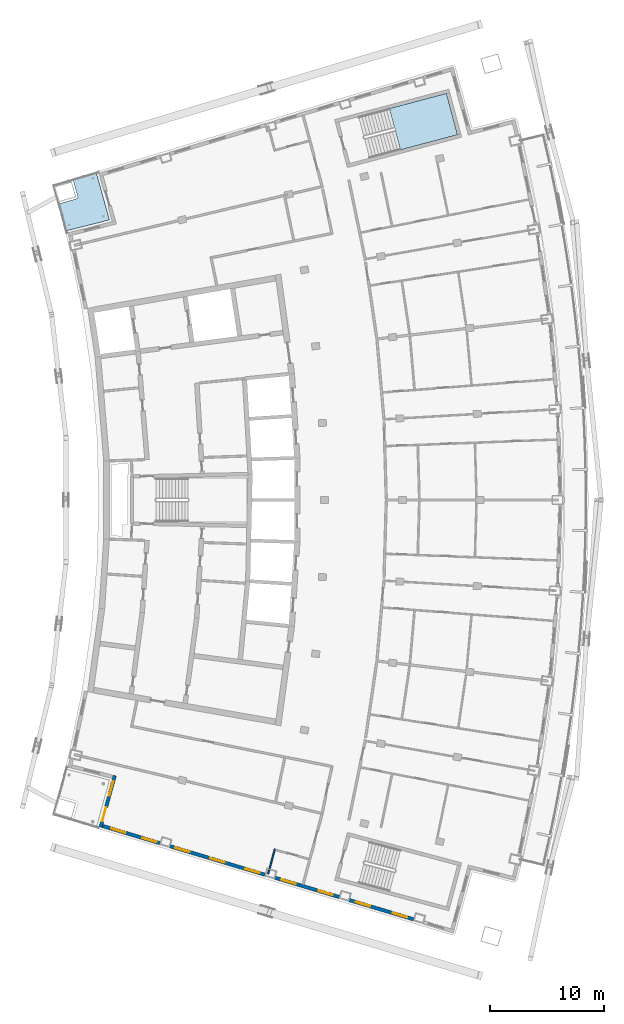
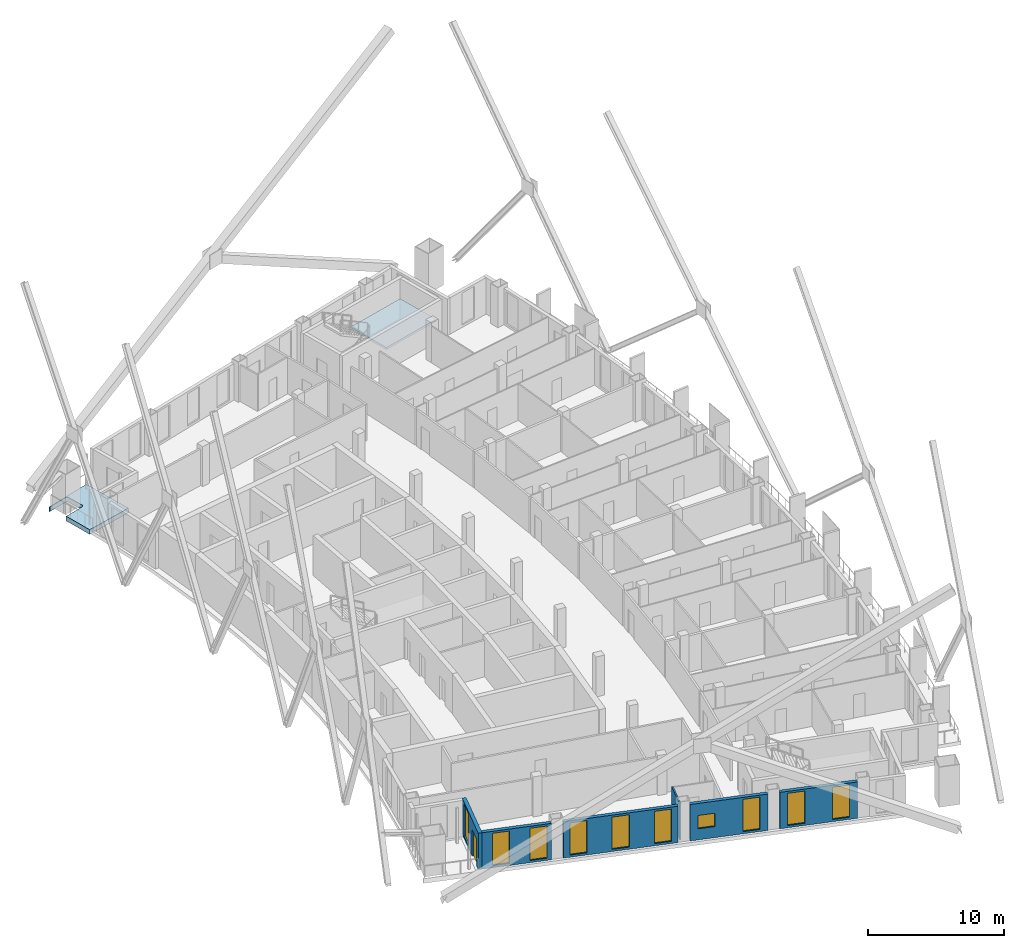
# One storey, part 7 of 21: 10 windows, 6 walls, 2 slabs, 1 door, 11 openings, 1 element without a shape of its own.
"""IFC4 building model written with IfcOpenShell, lengths in metres."""

import ifcopenshell
import ifcopenshell.guid

model = None  # the IFC model being written
_history = None  # IfcOwnerHistory: only IFC2X3 demands one
_inside = {}  # id of a spatial element -> (the spatial element, [elements in it])
_under = {}  # id of a project, library or spatial element -> (it, [spatial elements below it])
_declared = {}  # id of a project -> (the project, [libraries it declares])
_typed = {}  # id of a type object -> (the type object, [elements of that type])
_made_of = {}  # id of a material, layer set ... -> (it, [elements and type objects made of it])


def new_model(schema):
    """Start an empty IFC model of exactly this schema.

    Asked for "IFC4X3", IfcOpenShell would pick the latest addendum, in which some entities
    have other attributes; the version numbers below select the first issue.
    IFC2X3 requires an IfcOwnerHistory on every rooted entity: one is made here for all.
    """
    global model, _history
    if schema == "IFC4X3":
        model = ifcopenshell.file(schema_version=(4, 3, 0, 0))
    else:
        model = ifcopenshell.file(schema=schema)
    _inside.clear()
    _under.clear()
    _declared.clear()
    _typed.clear()
    _made_of.clear()
    _history = None
    if model.schema == "IFC2X3":
        org = make("IfcOrganization", Name="unknown")
        user = make(
            "IfcPersonAndOrganization",
            ThePerson=make("IfcPerson", FamilyName="unknown"),
            TheOrganization=org,
        )
        app = make(
            "IfcApplication",
            ApplicationDeveloper=org,
            Version="unknown",
            ApplicationFullName="unknown",
            ApplicationIdentifier="unknown",
        )
        _history = make(
            "IfcOwnerHistory",
            OwningUser=user,
            OwningApplication=app,
            ChangeAction="ADDED",
            CreationDate=0,
        )
    return model


def make(cls, **values):
    """One entity of the class cls with the attributes given. An attribute that is None is left unset."""
    return model.create_entity(
        cls, **{name: value for name, value in values.items() if value is not None}
    )


def rooted(cls, **values):
    """An entity with a GlobalId (a new one), such as an element, a storey or a relation."""
    return make(cls, GlobalId=ifcopenshell.guid.new(), OwnerHistory=_history, **values)


def si_unit(unit_type, name, prefix=None):
    """IfcSIUnit, for example si_unit("LENGTHUNIT", "METRE", prefix="MILLI")."""
    return make("IfcSIUnit", UnitType=unit_type, Prefix=prefix, Name=name)


def assignment(units):
    """IfcUnitAssignment: the units of a project."""
    return None if units is None else make("IfcUnitAssignment", Units=units)


def point(xyz):
    """IfcCartesianPoint."""
    return None if xyz is None else make("IfcCartesianPoint", Coordinates=xyz)


def direction(xyz):
    """IfcDirection."""
    return None if xyz is None else make("IfcDirection", DirectionRatios=xyz)


def frame(location, z_axis=None, x_axis=None):
    """IfcAxis2Placement3D, a coordinate frame: its origin and axes. An axis left out is left unset."""
    return make(
        "IfcAxis2Placement3D",
        Location=point(location),
        Axis=direction(z_axis),
        RefDirection=direction(x_axis),
    )


def frame_2d(location, x_axis=None):
    """IfcAxis2Placement2D, a coordinate frame in the plane: its origin and x axis."""
    return make(
        "IfcAxis2Placement2D", Location=point(location), RefDirection=direction(x_axis)
    )


def origin():
    """The frame at (0, 0, 0) with its axes left unset."""
    return frame((0.0, 0.0, 0.0))


def place(relative_to, where):
    """IfcLocalPlacement: puts the frame where relative to a parent placement (None: the world)."""
    return make(
        "IfcLocalPlacement", PlacementRelTo=relative_to, RelativePlacement=where
    )


def context(
    kind, dimensions, precision=None, world=None, true_north=None, identifier=None
):
    """IfcGeometricRepresentationContext, for example the 3D "Model" context."""
    return make(
        "IfcGeometricRepresentationContext",
        ContextIdentifier=identifier,
        ContextType=kind,
        CoordinateSpaceDimension=dimensions,
        Precision=precision,
        WorldCoordinateSystem=world,
        TrueNorth=true_north,
    )


def subcontext(parent, identifier, kind, view, scale=None):
    """IfcGeometricRepresentationSubContext, for example "Body" below "Model"."""
    return make(
        "IfcGeometricRepresentationSubContext",
        ContextIdentifier=identifier,
        ContextType=kind,
        ParentContext=parent,
        TargetScale=scale,
        TargetView=view,
    )


def project(units=None, contexts=None):
    """IfcProject with its units and contexts."""
    return rooted(
        "IfcProject",
        Name="project",
        RepresentationContexts=contexts,
        UnitsInContext=assignment(units),
    )


def spatial(cls, under=None, at=None, **own):
    """A site, building, storey or space (cls), placed at a placement, below another one or the project."""
    s = rooted(cls, ObjectPlacement=at, **own)
    if under is not None:
        _under.setdefault(under.id(), (under, []))[1].append(s)
    return s


def polyline(points):
    """IfcPolyline through the points."""
    return make("IfcPolyline", Points=[point(p) for p in points])


def profile(cls, at=None, kind="AREA", **sizes):
    """A parametric profile (cls). Its sizes go by their IFC names, for example OverallWidth=200.0."""
    return make(cls, ProfileType=kind, Position=at, **sizes)


def rectangle(**sizes):
    """IfcRectangleProfileDef."""
    return profile("IfcRectangleProfileDef", **sizes)


def outline(outer, holes=None, kind="AREA"):
    """IfcArbitraryClosedProfileDef: a profile drawn as a closed curve; with holes, ...WithVoids."""
    if holes is None:
        return make("IfcArbitraryClosedProfileDef", ProfileType=kind, OuterCurve=outer)
    return make(
        "IfcArbitraryProfileDefWithVoids",
        ProfileType=kind,
        OuterCurve=outer,
        InnerCurves=holes,
    )


def extrude(swept, where, along, depth):
    """IfcExtrudedAreaSolid: the profile swept, set in the frame where, extruded along a direction by depth."""
    return make(
        "IfcExtrudedAreaSolid",
        SweptArea=swept,
        Position=where,
        ExtrudedDirection=direction(along),
        Depth=depth,
    )


def shape(context_of_items, identifier, shape_type, items):
    """IfcShapeRepresentation: the items that make up one representation, for example the "Body"."""
    return make(
        "IfcShapeRepresentation",
        ContextOfItems=context_of_items,
        RepresentationIdentifier=identifier,
        RepresentationType=shape_type,
        Items=items,
    )


def material(Name=None, Category=None):
    """IfcMaterial."""
    return make("IfcMaterial", Name=Name, Category=Category)


def layer(
    of_material, thickness, ventilated=None, Name=None, Category=None, Priority=None
):
    """IfcMaterialLayer: one layer of a wall or slab, of a material (None: an air gap)."""
    return make(
        "IfcMaterialLayer",
        Material=of_material,
        LayerThickness=thickness,
        IsVentilated=ventilated,
        Name=Name,
        Category=Category,
        Priority=Priority,
    )


def layer_set(layers, Name=None):
    """IfcMaterialLayerSet."""
    return make("IfcMaterialLayerSet", MaterialLayers=layers, LayerSetName=Name)


def made_of(thing, what):
    """Note that an element or type object is made of a material, layer set ...; save() writes the relation."""
    if what is not None:
        _made_of.setdefault(what.id(), (what, []))[1].append(thing)
    return thing


def type_object(cls, material=None, **own):
    """A type object (cls), such as IfcWallType, which elements share."""
    return made_of(rooted(cls, **own), material)


def element(
    cls,
    number,
    at=None,
    inside=None,
    cuts=None,
    type_object=None,
    material=None,
    context=None,
    identifier="Body",
    shape_type=None,
    held_by="IfcProductDefinitionShape",
    body=None,
    shapes=None,
    **own,
):
    """One element of the class cls, such as IfcWall. Its Tag is "e" and its number.

    at: its placement. inside: the storey or other place that contains it. cuts: it is an
    opening in that element (IfcRelVoidsElement). A single representation is given by context,
    identifier, shape_type and body (its items); several are given by shapes. held_by: the class
    of the entity that holds the representations. save() writes the other relations.
    """
    e = rooted(cls, Tag="e%d" % number, ObjectPlacement=at, **own)
    if body is not None:
        shapes = [shape(context, identifier, shape_type, body)]
    if shapes is not None:
        e.Representation = make(held_by, Representations=shapes)
    if inside is not None:
        _inside.setdefault(inside.id(), (inside, []))[1].append(e)
    if cuts is not None:
        rooted(
            "IfcRelVoidsElement", RelatingBuildingElement=cuts, RelatedOpeningElement=e
        )
    if type_object is not None:
        _typed.setdefault(type_object.id(), (type_object, []))[1].append(e)
    return made_of(e, material)


def fill(opening, filler):
    """IfcRelFillsElement: the door or window that sits in an opening."""
    return rooted(
        "IfcRelFillsElement",
        RelatingOpeningElement=opening,
        RelatedBuildingElement=filler,
    )


def aggregate(whole, parts):
    """IfcRelAggregates: a whole, such as a stair, and the parts it consists of."""
    return rooted("IfcRelAggregates", RelatingObject=whole, RelatedObjects=parts)


def save(model, path):
    """Write the relations noted so far, then the file.

    IfcRelAggregates (storeys below a building ...), IfcRelContainedInSpatialStructure (elements
    in a storey), IfcRelDefinesByType, IfcRelAssociatesMaterial and IfcRelDeclares: one each for
    every whole, place, type object, material and project.
    """
    for whole, parts in _under.values():
        aggregate(whole, parts)
    for where, things in _inside.values():
        rooted(
            "IfcRelContainedInSpatialStructure",
            RelatedElements=things,
            RelatingStructure=where,
        )
    for kind, things in _typed.values():
        rooted("IfcRelDefinesByType", RelatedObjects=things, RelatingType=kind)
    for what, things in _made_of.values():
        rooted("IfcRelAssociatesMaterial", RelatedObjects=things, RelatingMaterial=what)
    for by, libraries in _declared.values():
        rooted("IfcRelDeclares", RelatingContext=by, RelatedDefinitions=libraries)
    model.write(path)


model = new_model("IFC4")

# Units and contexts
model_context = context("Model", 3, precision=1e-05, world=origin(), true_north=direction((0.0, 1.0)))
body_context = subcontext(model_context, "Body", "Model", "MODEL_VIEW")
ifc_project = project(units=[si_unit("LENGTHUNIT", "METRE"), si_unit("AREAUNIT", "SQUARE_METRE"), si_unit("VOLUMEUNIT", "CUBIC_METRE"), si_unit("PLANEANGLEUNIT", "RADIAN"), si_unit("MASSUNIT", "GRAM", prefix="KILO")], contexts=[model_context])

# Site, building, storey
site_placement = place(None, origin())
site = spatial("IfcSite", under=ifc_project, at=site_placement, CompositionType="ELEMENT")
building_placement = place(site_placement, origin())
building = spatial("IfcBuilding", under=site, at=building_placement, Name="Alderwake Tower", CompositionType="ELEMENT")
storey_placement = place(building_placement, frame((0.0, 0.0, 267.199951171875)))
storey = spatial("IfcBuildingStorey", under=building, at=storey_placement, Name="L66", CompositionType="ELEMENT", Elevation=267.199951171875)

# Stair, slab
ifc_material_1 = material(Name="Concrete C40/50", Category="concrete")
stair_type = type_object("IfcStairType", Name="Core exit stair", PredefinedType="HALF_TURN_STAIR", material=ifc_material_1)
stair_placement = place(storey_placement, origin())
stair = element("IfcStair", 1, at=stair_placement, inside=storey, type_object=stair_type, Name="L66 Exit Stair A", PredefinedType="HALF_TURN_STAIR")
ifc_material_2 = material(Name="Concrete C40/50", Category="concrete")
ifc_layer_1 = layer(ifc_material_2, 0.199951171875)
ifc_layer_set_1 = layer_set([ifc_layer_1], Name="Core stair landing 200")
slab_type_1 = type_object("IfcSlabType", Name="Core stair landing 200", PredefinedType="LANDING", material=ifc_layer_set_1)
slab_1_placement = place(storey_placement, frame((0.0, 0.0, 1.60009765625)))
slab_1 = element("IfcSlab", 2, at=slab_1_placement, type_object=slab_type_1, Name="ST-A landing 1", PredefinedType="LANDING", context=body_context, shape_type="SweptSolid", body=[
    extrude(outline(polyline([(42.440673828125, 91.67236328125), (47.436279296875, 93.003173828125), (46.47119140625, 96.626708984375), (41.475341796875, 95.296142578125), (42.440673828125, 91.67236328125)])), origin(), (0.0, 0.0, 1.0), 0.199951171875),
])
aggregate(stair, [slab_1])

# Slab
ifc_material_3 = material(Name="Concrete C50/60", Category="concrete")
ifc_layer_2 = layer(ifc_material_3, 0.419921875)
ifc_layer_set_2 = layer_set([ifc_layer_2], Name="Terrace slab 420")
slab_type_2 = type_object("IfcSlabType", Name="Terrace slab 420", PredefinedType="FLOOR", material=ifc_layer_set_2)
slab_2_placement = place(storey_placement, frame((0.0, 0.0, -0.419921875)))
element("IfcSlab", 3, at=slab_2_placement, inside=storey, type_object=slab_type_2, Name="Corner terrace RN", PredefinedType="FLOOR", context=body_context, shape_type="SweptSolid", body=[
    extrude(outline(polyline([(12.418701171875, 86.970458984375), (12.4306640625, 86.964599609375), (12.444580078125, 86.95947265625), (12.458740234375, 86.955810546875), (12.473388671875, 86.953369140625), (12.488037109375, 86.952392578125), (12.502685546875, 86.952880859375), (12.517333984375, 86.955078125), (12.531494140625, 86.95849609375), (14.068115234375, 87.404052734375), (14.082275390625, 87.408935546875), (14.095458984375, 87.4150390625), (14.1083984375, 87.422607421875), (14.1201171875, 87.43115234375), (14.131103515625, 87.44091796875), (14.14111328125, 87.45166015625), (14.150146484375, 87.46337890625), (14.157958984375, 87.475830078125), (14.164306640625, 87.489013671875), (14.16943359375, 87.5029296875), (14.173095703125, 87.51708984375), (14.175537109375, 87.53173828125), (14.176513671875, 87.54638671875), (14.17578125, 87.56103515625), (14.173828125, 87.57568359375), (14.17041015625, 87.590087890625), (13.780517578125, 88.9345703125), (13.775634765625, 88.948486328125), (13.76953125, 88.9619140625), (13.76220703125, 88.974609375), (13.75341796875, 88.986572265625), (13.74365234375, 88.99755859375), (13.73291015625, 89.007568359375), (13.72119140625, 89.0166015625), (13.708740234375, 89.024169921875), (13.695556640625, 89.030517578125), (13.681640625, 89.035888671875), (13.66748046875, 89.03955078125), (13.65283203125, 89.0419921875), (13.63818359375, 89.042724609375), (13.62353515625, 89.042236328125), (13.60888671875, 89.040283203125), (13.594482421875, 89.036865234375), (12.05810546875, 88.591064453125), (12.0439453125, 88.586181640625), (12.03076171875, 88.580078125), (12.017822265625, 88.57275390625), (12.006103515625, 88.564208984375), (11.9951171875, 88.55419921875), (11.985107421875, 88.543701171875), (11.97607421875, 88.53173828125), (11.9697265625, 88.521728515625), (11.945556640625, 88.604736328125), (15.776611328125, 89.7548828125), (16.942626953125, 85.53857421875), (13.06494140625, 84.556884765625), (12.71142578125, 85.91162109375), (12.418701171875, 86.970458984375)])), origin(), (0.0, 0.0, 1.0), 0.419921875),
])

# Wall, openings, door, window
ifc_material_4 = material(Name="Bronze metal cladding on lightweight framing")
ifc_layer_3 = layer(ifc_material_4, 0.300048828125)
ifc_layer_set_3 = layer_set([ifc_layer_3], Name="External wall EW2 bronze metal cladding")
wall_type_1 = type_object("IfcWallType", Name="External wall EW2 bronze metal cladding", PredefinedType="SOLIDWALL", material=ifc_layer_set_3)
wall_1_placement = place(storey_placement, frame((17.410400390625, 36.85888671875, 0.0), z_axis=(0.0, 0.0, 1.0), x_axis=(-0.264592640785, -0.96436027212, 0.0)))
wall_1 = element("IfcWall", 4, at=wall_1_placement, inside=storey, type_object=wall_type_1, Name="External wall 3", PredefinedType="SOLIDWALL", context=body_context, shape_type="SweptSolid", body=[
    extrude(rectangle(XDim=4.690185546875, YDim=0.300048828125, at=frame_2d((2.34521484375, 0.0))), origin(), (0.0, 0.0, 1.0), 3.280029296875),
])
opening_1_placement = place(wall_1_placement, frame((0.5224609375, 0.0, 0.199951171875)))
opening_1 = element("IfcOpeningElement", 5, at=opening_1_placement, cuts=wall_1, Name="Opening W1", PredefinedType="OPENING", context=body_context, shape_type="SweptSolid", body=[
    extrude(rectangle(XDim=1.300048828125, YDim=2.89990234375, at=frame_2d((0.64990234375, 1.449951171875))), frame((0.0, 0.159912109375, 0.0), z_axis=(0.0, -1.0, 0.0), x_axis=(1.0, 0.0, 0.0)), (0.0, 0.0, 1.0), 0.320068359375),
])
opening_2_placement = place(wall_1_placement, frame((2.867431640625, 0.0, 0.0)))
opening_2 = element("IfcOpeningElement", 6, at=opening_2_placement, cuts=wall_1, Name="Opening D01", PredefinedType="OPENING", context=body_context, shape_type="SweptSolid", body=[
    extrude(rectangle(XDim=1.300048828125, YDim=2.39990234375, at=frame_2d((0.64990234375, 1.199951171875))), frame((0.0, 0.159912109375, 0.0), z_axis=(0.0, -1.0, 0.0), x_axis=(1.0, 0.0, 0.0)), (0.0, 0.0, 1.0), 0.320068359375),
])
ifc_material_5 = material(Name="Bronze tinted glass in aluminium frame", Category="aluminium")
door_type = type_object("IfcDoorType", Name="Balcony door BD sliding", OperationType="SLIDING_TO_LEFT", PredefinedType="DOOR", material=ifc_material_5)
door_placement = place(opening_2_placement, origin())
door = element("IfcDoor", 7, at=door_placement, inside=storey, type_object=door_type, Name="Door D01", OperationType="SLIDING_TO_LEFT", OverallHeight=2.39990234375, OverallWidth=1.300048828125, PredefinedType="DOOR", context=body_context, shape_type="SweptSolid", body=[
    extrude(rectangle(XDim=1.300048828125, YDim=2.39990234375, at=frame_2d((0.64990234375, 1.199951171875))), frame((0.0, 0.02490234375, 0.0), z_axis=(0.0, -1.0, 0.0), x_axis=(1.0, 0.0, 0.0)), (0.0, 0.0, 1.0), 0.050048828125),
])
fill(opening_2, door)
ifc_material_6 = material(Name="Bronze tinted glass in aluminium frame", Category="aluminium")
window_type_1 = type_object("IfcWindowType", Name="Window W1 tall fixed and vent", PartitioningType="DOUBLE_PANEL_VERTICAL", PredefinedType="WINDOW", material=ifc_material_6)
window_1_placement = place(opening_1_placement, origin())
window_1 = element("IfcWindow", 8, at=window_1_placement, inside=storey, type_object=window_type_1, Name="Window W1 tall fixed and vent", OverallHeight=2.89990234375, OverallWidth=1.300048828125, PartitioningType="DOUBLE_PANEL_VERTICAL", PredefinedType="WINDOW", context=body_context, shape_type="SweptSolid", body=[
    extrude(rectangle(XDim=1.300048828125, YDim=2.89990234375, at=frame_2d((0.64990234375, 1.449951171875))), frame((0.0, 0.030029296875, 0.0), z_axis=(0.0, -1.0, 0.0), x_axis=(1.0, 0.0, 0.0)), (0.0, 0.0, 1.0), 0.06005859375),
])
fill(opening_1, window_1)

# Wall, openings, windows
wall_2_placement = place(storey_placement, frame((16.352783203125, 32.4375, 0.0), z_axis=(0.0, 0.0, 1.0), x_axis=(0.957768668152, -0.287539872551, 0.0)))
wall_2 = element("IfcWall", 9, at=wall_2_placement, inside=storey, type_object=wall_type_1, Name="External wall 4", PredefinedType="SOLIDWALL", context=body_context, shape_type="SweptSolid", body=[
    extrude(rectangle(XDim=5.249755859375, YDim=0.300048828125, at=frame_2d((2.625, 0.0))), origin(), (0.0, 0.0, 1.0), 3.280029296875),
])
opening_3_placement = place(wall_2_placement, frame((0.775390625, 0.0, 0.199951171875)))
opening_3 = element("IfcOpeningElement", 10, at=opening_3_placement, cuts=wall_2, Name="Opening W1", PredefinedType="OPENING", context=body_context, shape_type="SweptSolid", body=[
    extrude(rectangle(XDim=1.300048828125, YDim=2.89990234375, at=frame_2d((0.64990234375, 1.449951171875))), frame((0.0, 0.159912109375, 0.0), z_axis=(0.0, -1.0, 0.0), x_axis=(1.0, 0.0, 0.0)), (0.0, 0.0, 1.0), 0.320068359375),
])
opening_4_placement = place(wall_2_placement, frame((3.626220703125, 0.0, 0.199951171875)))
opening_4 = element("IfcOpeningElement", 11, at=opening_4_placement, cuts=wall_2, Name="Opening W1", PredefinedType="OPENING", context=body_context, shape_type="SweptSolid", body=[
    extrude(rectangle(XDim=1.300048828125, YDim=2.89990234375, at=frame_2d((0.64990234375, 1.449951171875))), frame((0.0, 0.159912109375, 0.0), z_axis=(0.0, -1.0, 0.0), x_axis=(1.0, 0.0, 0.0)), (0.0, 0.0, 1.0), 0.320068359375),
])
window_2_placement = place(opening_3_placement, origin())
window_2 = element("IfcWindow", 12, at=window_2_placement, inside=storey, type_object=window_type_1, Name="Window W1 tall fixed and vent", OverallHeight=2.89990234375, OverallWidth=1.300048828125, PartitioningType="DOUBLE_PANEL_VERTICAL", PredefinedType="WINDOW", context=body_context, shape_type="SweptSolid", body=[
    extrude(rectangle(XDim=1.300048828125, YDim=2.89990234375, at=frame_2d((0.64990234375, 1.449951171875))), frame((0.0, 0.030029296875, 0.0), z_axis=(0.0, -1.0, 0.0), x_axis=(1.0, 0.0, 0.0)), (0.0, 0.0, 1.0), 0.06005859375),
])
fill(opening_3, window_2)
window_3_placement = place(opening_4_placement, origin())
window_3 = element("IfcWindow", 13, at=window_3_placement, inside=storey, type_object=window_type_1, Name="Window W1 tall fixed and vent", OverallHeight=2.89990234375, OverallWidth=1.300048828125, PartitioningType="DOUBLE_PANEL_VERTICAL", PredefinedType="WINDOW", context=body_context, shape_type="SweptSolid", body=[
    extrude(rectangle(XDim=1.300048828125, YDim=2.89990234375, at=frame_2d((0.64990234375, 1.449951171875))), frame((0.0, 0.030029296875, 0.0), z_axis=(0.0, -1.0, 0.0), x_axis=(1.0, 0.0, 0.0)), (0.0, 0.0, 1.0), 0.06005859375),
])
fill(opening_4, window_3)

wall_3_placement = place(storey_placement, frame((22.24658203125, 30.668212890625, 0.0), z_axis=(0.0, 0.0, 1.0), x_axis=(0.957762902908, -0.287559075345, 0.0)))
wall_3 = element("IfcWall", 14, at=wall_3_placement, inside=storey, type_object=wall_type_1, Name="External wall 5", PredefinedType="SOLIDWALL", context=body_context, shape_type="SweptSolid", body=[
    extrude(rectangle(XDim=8.696533203125, YDim=0.300048828125, at=frame_2d((4.34814453125, 0.0))), origin(), (0.0, 0.0, 1.0), 3.280029296875),
])
opening_5_placement = place(wall_3_placement, frame((0.498046875, 0.0, 0.199951171875)))
opening_5 = element("IfcOpeningElement", 15, at=opening_5_placement, cuts=wall_3, Name="Opening W1", PredefinedType="OPENING", context=body_context, shape_type="SweptSolid", body=[
    extrude(rectangle(XDim=1.300048828125, YDim=2.89990234375, at=frame_2d((0.64990234375, 1.449951171875))), frame((0.0, 0.159912109375, 0.0), z_axis=(0.0, -1.0, 0.0), x_axis=(1.0, 0.0, 0.0)), (0.0, 0.0, 1.0), 0.320068359375),
])
opening_6_placement = place(wall_3_placement, frame((3.697998046875, 0.0, 0.199951171875)))
opening_6 = element("IfcOpeningElement", 16, at=opening_6_placement, cuts=wall_3, Name="Opening W1", PredefinedType="OPENING", context=body_context, shape_type="SweptSolid", body=[
    extrude(rectangle(XDim=1.300048828125, YDim=2.89990234375, at=frame_2d((0.64990234375, 1.449951171875))), frame((0.0, 0.159912109375, 0.0), z_axis=(0.0, -1.0, 0.0), x_axis=(1.0, 0.0, 0.0)), (0.0, 0.0, 1.0), 0.320068359375),
])
opening_7_placement = place(wall_3_placement, frame((6.898193359375, 0.0, 0.199951171875)))
opening_7 = element("IfcOpeningElement", 17, at=opening_7_placement, cuts=wall_3, Name="Opening W1", PredefinedType="OPENING", context=body_context, shape_type="SweptSolid", body=[
    extrude(rectangle(XDim=1.300048828125, YDim=2.89990234375, at=frame_2d((0.64990234375, 1.449951171875))), frame((0.0, 0.159912109375, 0.0), z_axis=(0.0, -1.0, 0.0), x_axis=(1.0, 0.0, 0.0)), (0.0, 0.0, 1.0), 0.320068359375),
])
window_4_placement = place(opening_5_placement, origin())
window_4 = element("IfcWindow", 18, at=window_4_placement, inside=storey, type_object=window_type_1, Name="Window W1 tall fixed and vent", OverallHeight=2.89990234375, OverallWidth=1.300048828125, PartitioningType="DOUBLE_PANEL_VERTICAL", PredefinedType="WINDOW", context=body_context, shape_type="SweptSolid", body=[
    extrude(rectangle(XDim=1.300048828125, YDim=2.89990234375, at=frame_2d((0.64990234375, 1.449951171875))), frame((0.0, 0.030029296875, 0.0), z_axis=(0.0, -1.0, 0.0), x_axis=(1.0, 0.0, 0.0)), (0.0, 0.0, 1.0), 0.06005859375),
])
fill(opening_5, window_4)
window_5_placement = place(opening_6_placement, origin())
window_5 = element("IfcWindow", 19, at=window_5_placement, inside=storey, type_object=window_type_1, Name="Window W1 tall fixed and vent", OverallHeight=2.89990234375, OverallWidth=1.300048828125, PartitioningType="DOUBLE_PANEL_VERTICAL", PredefinedType="WINDOW", context=body_context, shape_type="SweptSolid", body=[
    extrude(rectangle(XDim=1.300048828125, YDim=2.89990234375, at=frame_2d((0.64990234375, 1.449951171875))), frame((0.0, 0.030029296875, 0.0), z_axis=(0.0, -1.0, 0.0), x_axis=(1.0, 0.0, 0.0)), (0.0, 0.0, 1.0), 0.06005859375),
])
fill(opening_6, window_5)
window_6_placement = place(opening_7_placement, origin())
window_6 = element("IfcWindow", 20, at=window_6_placement, inside=storey, type_object=window_type_1, Name="Window W1 tall fixed and vent", OverallHeight=2.89990234375, OverallWidth=1.300048828125, PartitioningType="DOUBLE_PANEL_VERTICAL", PredefinedType="WINDOW", context=body_context, shape_type="SweptSolid", body=[
    extrude(rectangle(XDim=1.300048828125, YDim=2.89990234375, at=frame_2d((0.64990234375, 1.449951171875))), frame((0.0, 0.030029296875, 0.0), z_axis=(0.0, -1.0, 0.0), x_axis=(1.0, 0.0, 0.0)), (0.0, 0.0, 1.0), 0.06005859375),
])
fill(opening_7, window_6)

wall_4_placement = place(storey_placement, frame((31.441162109375, 27.90771484375, 0.0), z_axis=(0.0, 0.0, 1.0), x_axis=(0.957753322858, -0.287590981349, 0.0)))
wall_4 = element("IfcWall", 21, at=wall_4_placement, inside=storey, type_object=wall_type_1, Name="External wall 6", PredefinedType="SOLIDWALL", context=body_context, shape_type="SweptSolid", body=[
    extrude(rectangle(XDim=5.896484375, YDim=0.300048828125, at=frame_2d((2.9482421875, 0.0))), origin(), (0.0, 0.0, 1.0), 3.280029296875),
])
opening_8_placement = place(wall_4_placement, frame((0.59814453125, 0.0, 1.0)))
opening_8 = element("IfcOpeningElement", 22, at=opening_8_placement, cuts=wall_4, Name="Opening W2", PredefinedType="OPENING", context=body_context, shape_type="SweptSolid", body=[
    extrude(rectangle(XDim=1.300048828125, YDim=1.199951171875, at=frame_2d((0.64990234375, 0.60009765625))), frame((0.0, 0.159912109375, 0.0), z_axis=(0.0, -1.0, 0.0), x_axis=(1.0, 0.0, 0.0)), (0.0, 0.0, 1.0), 0.320068359375),
])
opening_9_placement = place(wall_4_placement, frame((3.998291015625, 0.0, 0.199951171875)))
opening_9 = element("IfcOpeningElement", 23, at=opening_9_placement, cuts=wall_4, Name="Opening W1", PredefinedType="OPENING", context=body_context, shape_type="SweptSolid", body=[
    extrude(rectangle(XDim=1.300048828125, YDim=2.89990234375, at=frame_2d((0.64990234375, 1.449951171875))), frame((0.0, 0.159912109375, 0.0), z_axis=(0.0, -1.0, 0.0), x_axis=(1.0, 0.0, 0.0)), (0.0, 0.0, 1.0), 0.320068359375),
])
window_7_placement = place(opening_9_placement, origin())
window_7 = element("IfcWindow", 24, at=window_7_placement, inside=storey, type_object=window_type_1, Name="Window W1 tall fixed and vent", OverallHeight=2.89990234375, OverallWidth=1.300048828125, PartitioningType="DOUBLE_PANEL_VERTICAL", PredefinedType="WINDOW", context=body_context, shape_type="SweptSolid", body=[
    extrude(rectangle(XDim=1.300048828125, YDim=2.89990234375, at=frame_2d((0.64990234375, 1.449951171875))), frame((0.0, 0.030029296875, 0.0), z_axis=(0.0, -1.0, 0.0), x_axis=(1.0, 0.0, 0.0)), (0.0, 0.0, 1.0), 0.06005859375),
])
fill(opening_9, window_7)
ifc_material_7 = material(Name="Bronze tinted glass in aluminium frame", Category="aluminium")
window_type_2 = type_object("IfcWindowType", Name="Window W2 kitchen and bath", PartitioningType="SINGLE_PANEL", PredefinedType="WINDOW", material=ifc_material_7)
window_8_placement = place(opening_8_placement, origin())
window_8 = element("IfcWindow", 25, at=window_8_placement, inside=storey, type_object=window_type_2, Name="Window W2 kitchen and bath", OverallHeight=1.199951171875, OverallWidth=1.300048828125, PartitioningType="SINGLE_PANEL", PredefinedType="WINDOW", context=body_context, shape_type="SweptSolid", body=[
    extrude(rectangle(XDim=1.300048828125, YDim=1.199951171875, at=frame_2d((0.64990234375, 0.60009765625))), frame((0.0, 0.030029296875, 0.0), z_axis=(0.0, -1.0, 0.0), x_axis=(1.0, 0.0, 0.0)), (0.0, 0.0, 1.0), 0.06005859375),
])
fill(opening_8, window_8)

wall_5_placement = place(storey_placement, frame((37.953857421875, 25.952392578125, 0.0), z_axis=(0.0, 0.0, 1.0), x_axis=(0.957760170947, -0.287568174436, 0.0)))
wall_5 = element("IfcWall", 26, at=wall_5_placement, inside=storey, type_object=wall_type_1, Name="External wall 7", PredefinedType="SOLIDWALL", context=body_context, shape_type="SweptSolid", body=[
    extrude(rectangle(XDim=5.89697265625, YDim=0.300048828125, at=frame_2d((2.948486328125, 0.0))), origin(), (0.0, 0.0, 1.0), 3.280029296875),
])
opening_10_placement = place(wall_5_placement, frame((0.598388671875, 0.0, 0.199951171875)))
opening_10 = element("IfcOpeningElement", 27, at=opening_10_placement, cuts=wall_5, Name="Opening W1", PredefinedType="OPENING", context=body_context, shape_type="SweptSolid", body=[
    extrude(rectangle(XDim=1.300048828125, YDim=2.89990234375, at=frame_2d((0.64990234375, 1.449951171875))), frame((0.0, 0.159912109375, 0.0), z_axis=(0.0, -1.0, 0.0), x_axis=(1.0, 0.0, 0.0)), (0.0, 0.0, 1.0), 0.320068359375),
])
opening_11_placement = place(wall_5_placement, frame((3.998291015625, 0.0, 0.199951171875)))
opening_11 = element("IfcOpeningElement", 28, at=opening_11_placement, cuts=wall_5, Name="Opening W1", PredefinedType="OPENING", context=body_context, shape_type="SweptSolid", body=[
    extrude(rectangle(XDim=1.300048828125, YDim=2.89990234375, at=frame_2d((0.64990234375, 1.449951171875))), frame((0.0, 0.159912109375, 0.0), z_axis=(0.0, -1.0, 0.0), x_axis=(1.0, 0.0, 0.0)), (0.0, 0.0, 1.0), 0.320068359375),
])
window_9_placement = place(opening_10_placement, origin())
window_9 = element("IfcWindow", 29, at=window_9_placement, inside=storey, type_object=window_type_1, Name="Window W1 tall fixed and vent", OverallHeight=2.89990234375, OverallWidth=1.300048828125, PartitioningType="DOUBLE_PANEL_VERTICAL", PredefinedType="WINDOW", context=body_context, shape_type="SweptSolid", body=[
    extrude(rectangle(XDim=1.300048828125, YDim=2.89990234375, at=frame_2d((0.64990234375, 1.449951171875))), frame((0.0, 0.030029296875, 0.0), z_axis=(0.0, -1.0, 0.0), x_axis=(1.0, 0.0, 0.0)), (0.0, 0.0, 1.0), 0.06005859375),
])
fill(opening_10, window_9)
window_10_placement = place(opening_11_placement, origin())
window_10 = element("IfcWindow", 30, at=window_10_placement, inside=storey, type_object=window_type_1, Name="Window W1 tall fixed and vent", OverallHeight=2.89990234375, OverallWidth=1.300048828125, PartitioningType="DOUBLE_PANEL_VERTICAL", PredefinedType="WINDOW", context=body_context, shape_type="SweptSolid", body=[
    extrude(rectangle(XDim=1.300048828125, YDim=2.89990234375, at=frame_2d((0.64990234375, 1.449951171875))), frame((0.0, 0.030029296875, 0.0), z_axis=(0.0, -1.0, 0.0), x_axis=(1.0, 0.0, 0.0)), (0.0, 0.0, 1.0), 0.06005859375),
])
fill(opening_11, window_10)

# Wall
ifc_material_8 = material(Name="Moisture resistant gypsum board on metal studs")
ifc_layer_4 = layer(ifc_material_8, 0.1201171875)
ifc_layer_set_4 = layer_set([ifc_layer_4], Name="Wet room partition 120")
wall_type_2 = type_object("IfcWallType", Name="Wet room partition 120", PredefinedType="PARTITIONING", material=ifc_layer_set_4)
wall_6_placement = place(storey_placement, frame((31.4345703125, 30.4208984375, 0.0), z_axis=(0.0, 0.0, 1.0), x_axis=(-0.259480612243, -0.965748317042, 0.0)))
element("IfcWall", 31, at=wall_6_placement, inside=storey, type_object=wall_type_2, Name="WL/L66/W27", PredefinedType="PARTITIONING", context=body_context, shape_type="SweptSolid", body=[
    extrude(rectangle(XDim=2.25634765625, YDim=0.1201171875, at=frame_2d((1.128173828125, 0.0))), origin(), (0.0, 0.0, 1.0), 3.280029296875),
])

save(model, "model.ifc")
